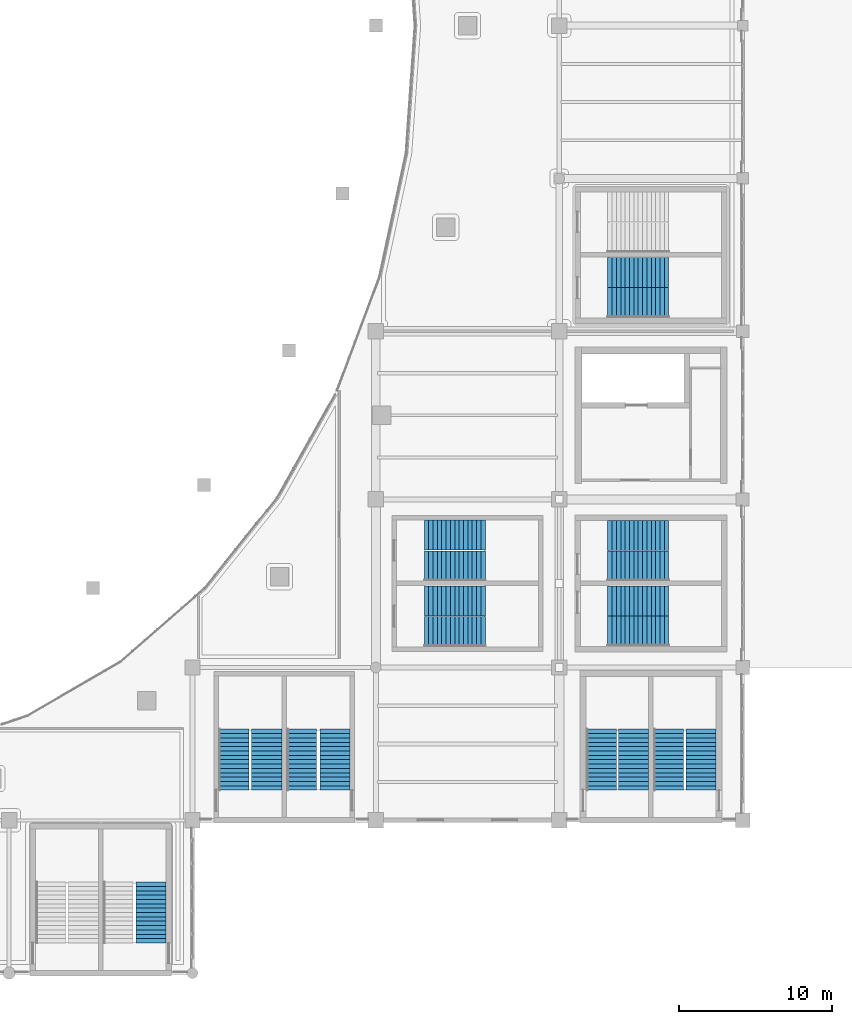
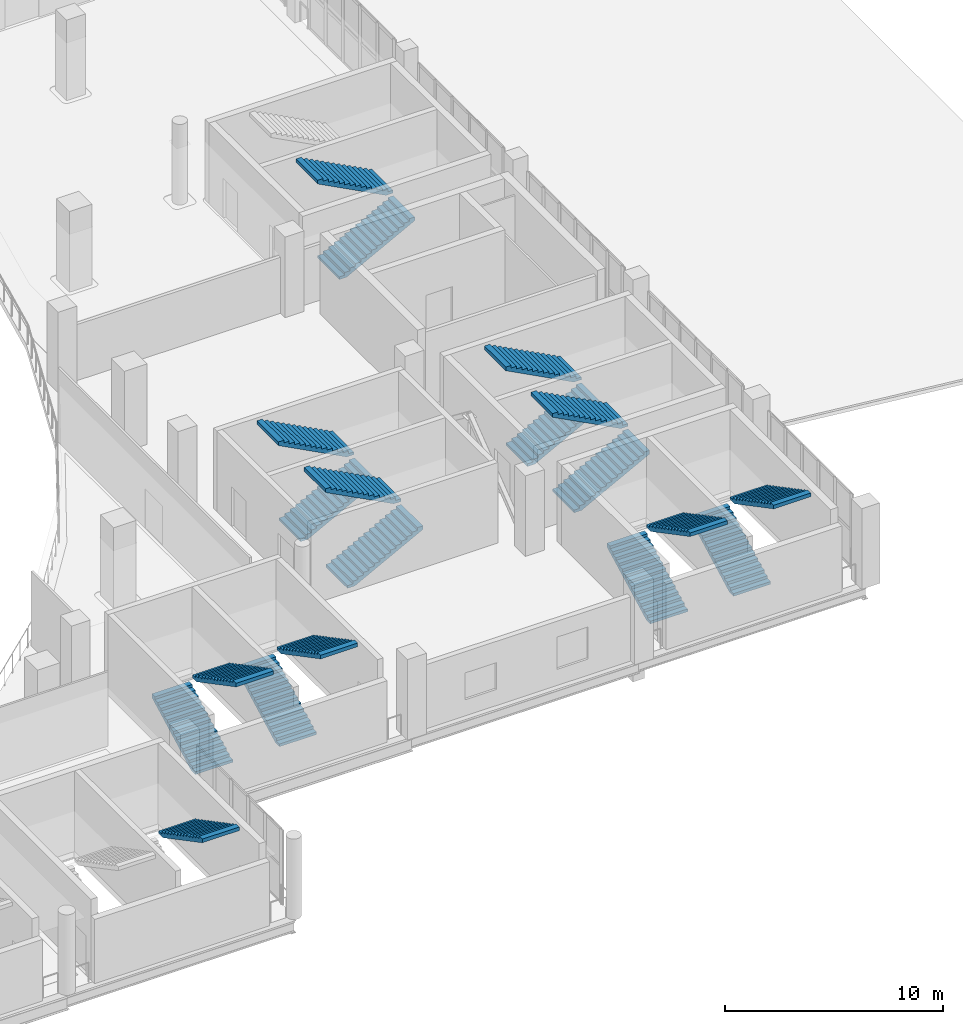
# One storey, part 89 of 108: 19 stair flights, 10 elements without a shape of their own.
"""IFC4 building model written with IfcOpenShell, lengths in metres."""

from ifc_helpers import new_model, si_unit, direction, frame, origin, place, context, subcontext, project, spatial, polyline, outline, extrude, material, layer, layer_set, type_object, element, aggregate, save


model = new_model("IFC4")

# Units and contexts
model_context = context("Model", 3, precision=1e-05, world=origin(), true_north=direction((0.0, 1.0)))
body_context = subcontext(model_context, "Body", "Model", "MODEL_VIEW")
ifc_project = project(units=[si_unit("LENGTHUNIT", "METRE"), si_unit("AREAUNIT", "SQUARE_METRE"), si_unit("VOLUMEUNIT", "CUBIC_METRE"), si_unit("PLANEANGLEUNIT", "RADIAN"), si_unit("MASSUNIT", "GRAM", prefix="KILO")], contexts=[model_context])

# Site, building, storey
site_placement = place(None, origin())
site = spatial("IfcSite", under=ifc_project, at=site_placement, CompositionType="ELEMENT")
building_placement = place(site_placement, origin())
building = spatial("IfcBuilding", under=site, at=building_placement, Name="Brinegate Civic Arena", CompositionType="ELEMENT")
storey_placement = place(building_placement, frame((0.0, 0.0, 10.199951171875)))
storey = spatial("IfcBuildingStorey", under=building, at=storey_placement, Name="L02", CompositionType="ELEMENT", Elevation=10.199951171875)

# Stair, stair flight
ifc_material = material(Name="Concrete C40/50", Category="concrete")
stair_type_1 = type_object("IfcStairType", Name="STAIR-EXIT-3700", PredefinedType="HALF_TURN_STAIR", material=ifc_material)
stair_1_placement = place(storey_placement, origin())
stair_1 = element("IfcStair", 1, at=stair_1_placement, inside=storey, type_object=stair_type_1, Name="Protected Exit Stair ST-04B (L02)", PredefinedType="HALF_TURN_STAIR")
ifc_layer_1 = layer(ifc_material, 0.179931640625, Name="Concrete C40/50")
ifc_layer_set_1 = layer_set([ifc_layer_1], Name="Concrete C40/50")
stair_flight_type_1 = type_object("IfcStairFlightType", Name="FLIGHT-EXIT-3700", PredefinedType="STRAIGHT", material=ifc_layer_set_1)
stair_flight_1_placement = place(storey_placement, frame((129.280029296875, 5.9599609375, 2.25), z_axis=(0.0, 0.0, 1.0), x_axis=(0.0, -1.0, 0.0)))
stair_flight_1 = element("IfcStairFlight", 2, at=stair_flight_1_placement, type_object=stair_flight_type_1, Name="ST-04B flight 2", NumberOfRisers=15, NumberOfTreads=14, PredefinedType="STRAIGHT", RiserHeight=0.15, TreadLength=0.285, context=body_context, shape_type="SweptSolid", body=[
    extrude(outline(polyline([(0.0, 0.0), (0.0, 0.14990234375), (0.284912109375, 0.14990234375), (0.284912109375, 0.300048828125), (0.570068359375, 0.300048828125), (0.570068359375, 0.449951171875), (0.85498046875, 0.449951171875), (0.85498046875, 0.60009765625), (1.139892578125, 0.60009765625), (1.139892578125, 0.75), (1.425048828125, 0.75), (1.425048828125, 0.89990234375), (1.7099609375, 0.89990234375), (1.7099609375, 1.050048828125), (1.9951171875, 1.050048828125), (1.9951171875, 1.199951171875), (2.280029296875, 1.199951171875), (2.280029296875, 1.35009765625), (2.56494140625, 1.35009765625), (2.56494140625, 1.5), (2.85009765625, 1.5), (2.85009765625, 1.64990234375), (3.135009765625, 1.64990234375), (3.135009765625, 1.800048828125), (3.419921875, 1.800048828125), (3.419921875, 1.949951171875), (3.705078125, 1.949951171875), (3.705078125, 2.10009765625), (3.989990234375, 2.10009765625), (3.989990234375, 2.25), (3.989990234375, 1.896728515625), (0.38623046875, 0.0), (0.0, 0.0)])), frame((0.0, 0.97998046875, 0.0), z_axis=(0.0, -1.0, 0.0), x_axis=(1.0, 0.0, 0.0)), (0.0, 0.0, 1.0), 1.9599609375),
])
aggregate(stair_1, [stair_flight_1])

# Stair, stair flights
stair_2_placement = place(storey_placement, origin())
stair_2 = element("IfcStair", 3, at=stair_2_placement, inside=storey, type_object=stair_type_1, Name="Protected Exit Stair ST-06B (L02)", PredefinedType="HALF_TURN_STAIR")
stair_flight_2_placement = place(storey_placement, frame((163.139892578125, 11.969970703125, 0.0), z_axis=(0.0, 0.0, 1.0), x_axis=(0.0, 1.0, 0.0)))
stair_flight_2 = element("IfcStairFlight", 4, at=stair_flight_2_placement, type_object=stair_flight_type_1, Name="ST-06B flight 1", NumberOfRisers=15, NumberOfTreads=14, PredefinedType="STRAIGHT", RiserHeight=0.15, TreadLength=0.285, context=body_context, shape_type="SweptSolid", body=[
    extrude(outline(polyline([(0.0, 0.0), (0.0, 0.14990234375), (0.284912109375, 0.14990234375), (0.284912109375, 0.300048828125), (0.570068359375, 0.300048828125), (0.570068359375, 0.449951171875), (0.85498046875, 0.449951171875), (0.85498046875, 0.60009765625), (1.139892578125, 0.60009765625), (1.139892578125, 0.75), (1.425048828125, 0.75), (1.425048828125, 0.89990234375), (1.7099609375, 0.89990234375), (1.7099609375, 1.050048828125), (1.9951171875, 1.050048828125), (1.9951171875, 1.199951171875), (2.280029296875, 1.199951171875), (2.280029296875, 1.35009765625), (2.56494140625, 1.35009765625), (2.56494140625, 1.5), (2.85009765625, 1.5), (2.85009765625, 1.64990234375), (3.135009765625, 1.64990234375), (3.135009765625, 1.800048828125), (3.419921875, 1.800048828125), (3.419921875, 1.949951171875), (3.705078125, 1.949951171875), (3.705078125, 2.10009765625), (3.989990234375, 2.10009765625), (3.989990234375, 2.25), (3.989990234375, 1.896728515625), (0.38623046875, 0.0), (0.0, 0.0)])), frame((0.0, 0.97998046875, 0.0), z_axis=(0.0, -1.0, 0.0), x_axis=(1.0, 0.0, 0.0)), (0.0, 0.0, 1.0), 1.9599609375),
])
stair_flight_3_placement = place(storey_placement, frame((165.260009765625, 15.9599609375, 2.25), z_axis=(0.0, 0.0, 1.0), x_axis=(0.0, -1.0, 0.0)))
stair_flight_3 = element("IfcStairFlight", 5, at=stair_flight_3_placement, type_object=stair_flight_type_1, Name="ST-06B flight 2", NumberOfRisers=15, NumberOfTreads=14, PredefinedType="STRAIGHT", RiserHeight=0.15, TreadLength=0.285, context=body_context, shape_type="SweptSolid", body=[
    extrude(outline(polyline([(0.0, 0.0), (0.0, 0.14990234375), (0.284912109375, 0.14990234375), (0.284912109375, 0.300048828125), (0.570068359375, 0.300048828125), (0.570068359375, 0.449951171875), (0.85498046875, 0.449951171875), (0.85498046875, 0.60009765625), (1.139892578125, 0.60009765625), (1.139892578125, 0.75), (1.425048828125, 0.75), (1.425048828125, 0.89990234375), (1.7099609375, 0.89990234375), (1.7099609375, 1.050048828125), (1.9951171875, 1.050048828125), (1.9951171875, 1.199951171875), (2.280029296875, 1.199951171875), (2.280029296875, 1.35009765625), (2.56494140625, 1.35009765625), (2.56494140625, 1.5), (2.85009765625, 1.5), (2.85009765625, 1.64990234375), (3.135009765625, 1.64990234375), (3.135009765625, 1.800048828125), (3.419921875, 1.800048828125), (3.419921875, 1.949951171875), (3.705078125, 1.949951171875), (3.705078125, 2.10009765625), (3.989990234375, 2.10009765625), (3.989990234375, 2.25), (3.989990234375, 1.896728515625), (0.38623046875, 0.0), (0.0, 0.0)])), frame((0.0, 0.97998046875, 0.0), z_axis=(0.0, -1.0, 0.0), x_axis=(1.0, 0.0, 0.0)), (0.0, 0.0, 1.0), 1.9599609375),
])
aggregate(stair_2, [stair_flight_2, stair_flight_3])

stair_3_placement = place(storey_placement, origin())
stair_3 = element("IfcStair", 6, at=stair_3_placement, inside=storey, type_object=stair_type_1, Name="Protected Exit Stair ST-14B (L02)", PredefinedType="HALF_TURN_STAIR")
stair_flight_4_placement = place(storey_placement, frame((139.139892578125, 11.969970703125, 0.0), z_axis=(0.0, 0.0, 1.0), x_axis=(0.0, 1.0, 0.0)))
stair_flight_4 = element("IfcStairFlight", 7, at=stair_flight_4_placement, type_object=stair_flight_type_1, Name="ST-14B flight 1", NumberOfRisers=15, NumberOfTreads=14, PredefinedType="STRAIGHT", RiserHeight=0.15, TreadLength=0.285, context=body_context, shape_type="SweptSolid", body=[
    extrude(outline(polyline([(0.0, 0.0), (0.0, 0.14990234375), (0.284912109375, 0.14990234375), (0.284912109375, 0.300048828125), (0.570068359375, 0.300048828125), (0.570068359375, 0.449951171875), (0.85498046875, 0.449951171875), (0.85498046875, 0.60009765625), (1.139892578125, 0.60009765625), (1.139892578125, 0.75), (1.425048828125, 0.75), (1.425048828125, 0.89990234375), (1.7099609375, 0.89990234375), (1.7099609375, 1.050048828125), (1.9951171875, 1.050048828125), (1.9951171875, 1.199951171875), (2.280029296875, 1.199951171875), (2.280029296875, 1.35009765625), (2.56494140625, 1.35009765625), (2.56494140625, 1.5), (2.85009765625, 1.5), (2.85009765625, 1.64990234375), (3.135009765625, 1.64990234375), (3.135009765625, 1.800048828125), (3.419921875, 1.800048828125), (3.419921875, 1.949951171875), (3.705078125, 1.949951171875), (3.705078125, 2.10009765625), (3.989990234375, 2.10009765625), (3.989990234375, 2.25), (3.989990234375, 1.896728515625), (0.38623046875, 0.0), (0.0, 0.0)])), frame((0.0, 0.97998046875, 0.0), z_axis=(0.0, -1.0, 0.0), x_axis=(1.0, 0.0, 0.0)), (0.0, 0.0, 1.0), 1.9599609375),
])
stair_flight_5_placement = place(storey_placement, frame((141.31005859375, 15.9599609375, 2.25), z_axis=(0.0, 0.0, 1.0), x_axis=(0.0, -1.0, 0.0)))
stair_flight_5 = element("IfcStairFlight", 8, at=stair_flight_5_placement, type_object=stair_flight_type_1, Name="ST-14B flight 2", NumberOfRisers=15, NumberOfTreads=14, PredefinedType="STRAIGHT", RiserHeight=0.15, TreadLength=0.285, context=body_context, shape_type="SweptSolid", body=[
    extrude(outline(polyline([(0.0, 0.0), (0.0, 0.14990234375), (0.284912109375, 0.14990234375), (0.284912109375, 0.300048828125), (0.570068359375, 0.300048828125), (0.570068359375, 0.449951171875), (0.85498046875, 0.449951171875), (0.85498046875, 0.60009765625), (1.139892578125, 0.60009765625), (1.139892578125, 0.75), (1.425048828125, 0.75), (1.425048828125, 0.89990234375), (1.7099609375, 0.89990234375), (1.7099609375, 1.050048828125), (1.9951171875, 1.050048828125), (1.9951171875, 1.199951171875), (2.280029296875, 1.199951171875), (2.280029296875, 1.35009765625), (2.56494140625, 1.35009765625), (2.56494140625, 1.5), (2.85009765625, 1.5), (2.85009765625, 1.64990234375), (3.135009765625, 1.64990234375), (3.135009765625, 1.800048828125), (3.419921875, 1.800048828125), (3.419921875, 1.949951171875), (3.705078125, 1.949951171875), (3.705078125, 2.10009765625), (3.989990234375, 2.10009765625), (3.989990234375, 2.25), (3.989990234375, 1.896728515625), (0.38623046875, 0.0), (0.0, 0.0)])), frame((0.0, 0.97998046875, 0.0), z_axis=(0.0, -1.0, 0.0), x_axis=(1.0, 0.0, 0.0)), (0.0, 0.0, 1.0), 1.9599609375),
])
aggregate(stair_3, [stair_flight_4, stair_flight_5])

stair_4_placement = place(storey_placement, origin())
stair_4 = element("IfcStair", 9, at=stair_4_placement, inside=storey, type_object=stair_type_1, Name="Protected Exit Stair ST-17B (L02)", PredefinedType="HALF_TURN_STAIR")
stair_flight_6_placement = place(storey_placement, frame((147.169921875, 26.639892578125, 0.0), z_axis=(0.0, 0.0, 1.0), x_axis=(1.0, 0.0, 0.0)))
stair_flight_6 = element("IfcStairFlight", 10, at=stair_flight_6_placement, type_object=stair_flight_type_1, Name="ST-17B flight 1", NumberOfRisers=15, NumberOfTreads=14, PredefinedType="STRAIGHT", RiserHeight=0.15, TreadLength=0.285, context=body_context, shape_type="SweptSolid", body=[
    extrude(outline(polyline([(0.0, 0.0), (0.0, 0.14990234375), (0.284912109375, 0.14990234375), (0.284912109375, 0.300048828125), (0.570068359375, 0.300048828125), (0.570068359375, 0.449951171875), (0.85498046875, 0.449951171875), (0.85498046875, 0.60009765625), (1.139892578125, 0.60009765625), (1.139892578125, 0.75), (1.425048828125, 0.75), (1.425048828125, 0.89990234375), (1.7099609375, 0.89990234375), (1.7099609375, 1.050048828125), (1.9951171875, 1.050048828125), (1.9951171875, 1.199951171875), (2.280029296875, 1.199951171875), (2.280029296875, 1.35009765625), (2.56494140625, 1.35009765625), (2.56494140625, 1.5), (2.85009765625, 1.5), (2.85009765625, 1.64990234375), (3.135009765625, 1.64990234375), (3.135009765625, 1.800048828125), (3.419921875, 1.800048828125), (3.419921875, 1.949951171875), (3.705078125, 1.949951171875), (3.705078125, 2.10009765625), (3.989990234375, 2.10009765625), (3.989990234375, 2.25), (3.989990234375, 1.896728515625), (0.38623046875, 0.0), (0.0, 0.0)])), frame((0.0, 0.97998046875, 0.0), z_axis=(0.0, -1.0, 0.0), x_axis=(1.0, 0.0, 0.0)), (0.0, 0.0, 1.0), 1.9599609375),
])
stair_flight_7_placement = place(storey_placement, frame((151.159912109375, 28.659912109375, 2.25), z_axis=(0.0, 0.0, 1.0), x_axis=(-1.0, 0.0, 0.0)))
stair_flight_7 = element("IfcStairFlight", 11, at=stair_flight_7_placement, type_object=stair_flight_type_1, Name="ST-17B flight 2", NumberOfRisers=15, NumberOfTreads=14, PredefinedType="STRAIGHT", RiserHeight=0.15, TreadLength=0.285, context=body_context, shape_type="SweptSolid", body=[
    extrude(outline(polyline([(0.0, 0.0), (0.0, 0.14990234375), (0.284912109375, 0.14990234375), (0.284912109375, 0.300048828125), (0.570068359375, 0.300048828125), (0.570068359375, 0.449951171875), (0.85498046875, 0.449951171875), (0.85498046875, 0.60009765625), (1.139892578125, 0.60009765625), (1.139892578125, 0.75), (1.425048828125, 0.75), (1.425048828125, 0.89990234375), (1.7099609375, 0.89990234375), (1.7099609375, 1.050048828125), (1.9951171875, 1.050048828125), (1.9951171875, 1.199951171875), (2.280029296875, 1.199951171875), (2.280029296875, 1.35009765625), (2.56494140625, 1.35009765625), (2.56494140625, 1.5), (2.85009765625, 1.5), (2.85009765625, 1.64990234375), (3.135009765625, 1.64990234375), (3.135009765625, 1.800048828125), (3.419921875, 1.800048828125), (3.419921875, 1.949951171875), (3.705078125, 1.949951171875), (3.705078125, 2.10009765625), (3.989990234375, 2.10009765625), (3.989990234375, 2.25), (3.989990234375, 1.896728515625), (0.38623046875, 0.0), (0.0, 0.0)])), frame((0.0, 0.97998046875, 0.0), z_axis=(0.0, -1.0, 0.0), x_axis=(1.0, 0.0, 0.0)), (0.0, 0.0, 1.0), 1.9599609375),
])
aggregate(stair_4, [stair_flight_6, stair_flight_7])

stair_5_placement = place(storey_placement, origin())
stair_5 = element("IfcStair", 12, at=stair_5_placement, inside=storey, type_object=stair_type_1, Name="Protected Exit Stair ST-19B (L02)", PredefinedType="HALF_TURN_STAIR")
stair_flight_8_placement = place(storey_placement, frame((159.169921875, 26.639892578125, 0.0), z_axis=(0.0, 0.0, 1.0), x_axis=(1.0, 0.0, 0.0)))
stair_flight_8 = element("IfcStairFlight", 13, at=stair_flight_8_placement, type_object=stair_flight_type_1, Name="ST-19B flight 1", NumberOfRisers=15, NumberOfTreads=14, PredefinedType="STRAIGHT", RiserHeight=0.15, TreadLength=0.285, context=body_context, shape_type="SweptSolid", body=[
    extrude(outline(polyline([(0.0, 0.0), (0.0, 0.14990234375), (0.284912109375, 0.14990234375), (0.284912109375, 0.300048828125), (0.570068359375, 0.300048828125), (0.570068359375, 0.449951171875), (0.85498046875, 0.449951171875), (0.85498046875, 0.60009765625), (1.139892578125, 0.60009765625), (1.139892578125, 0.75), (1.425048828125, 0.75), (1.425048828125, 0.89990234375), (1.7099609375, 0.89990234375), (1.7099609375, 1.050048828125), (1.9951171875, 1.050048828125), (1.9951171875, 1.199951171875), (2.280029296875, 1.199951171875), (2.280029296875, 1.35009765625), (2.56494140625, 1.35009765625), (2.56494140625, 1.5), (2.85009765625, 1.5), (2.85009765625, 1.64990234375), (3.135009765625, 1.64990234375), (3.135009765625, 1.800048828125), (3.419921875, 1.800048828125), (3.419921875, 1.949951171875), (3.705078125, 1.949951171875), (3.705078125, 2.10009765625), (3.989990234375, 2.10009765625), (3.989990234375, 2.25), (3.989990234375, 1.896728515625), (0.38623046875, 0.0), (0.0, 0.0)])), frame((0.0, 0.97998046875, 0.0), z_axis=(0.0, -1.0, 0.0), x_axis=(1.0, 0.0, 0.0)), (0.0, 0.0, 1.0), 1.9599609375),
])
stair_flight_9_placement = place(storey_placement, frame((163.159912109375, 28.6298828125, 2.25), z_axis=(0.0, 0.0, 1.0), x_axis=(-1.0, 0.0, 0.0)))
stair_flight_9 = element("IfcStairFlight", 14, at=stair_flight_9_placement, type_object=stair_flight_type_1, Name="ST-19B flight 2", NumberOfRisers=15, NumberOfTreads=14, PredefinedType="STRAIGHT", RiserHeight=0.15, TreadLength=0.285, context=body_context, shape_type="SweptSolid", body=[
    extrude(outline(polyline([(0.0, 0.0), (0.0, 0.14990234375), (0.284912109375, 0.14990234375), (0.284912109375, 0.300048828125), (0.570068359375, 0.300048828125), (0.570068359375, 0.449951171875), (0.85498046875, 0.449951171875), (0.85498046875, 0.60009765625), (1.139892578125, 0.60009765625), (1.139892578125, 0.75), (1.425048828125, 0.75), (1.425048828125, 0.89990234375), (1.7099609375, 0.89990234375), (1.7099609375, 1.050048828125), (1.9951171875, 1.050048828125), (1.9951171875, 1.199951171875), (2.280029296875, 1.199951171875), (2.280029296875, 1.35009765625), (2.56494140625, 1.35009765625), (2.56494140625, 1.5), (2.85009765625, 1.5), (2.85009765625, 1.64990234375), (3.135009765625, 1.64990234375), (3.135009765625, 1.800048828125), (3.419921875, 1.800048828125), (3.419921875, 1.949951171875), (3.705078125, 1.949951171875), (3.705078125, 2.10009765625), (3.989990234375, 2.10009765625), (3.989990234375, 2.25), (3.989990234375, 1.896728515625), (0.38623046875, 0.0), (0.0, 0.0)])), frame((0.0, 0.97998046875, 0.0), z_axis=(0.0, -1.0, 0.0), x_axis=(1.0, 0.0, 0.0)), (0.0, 0.0, 1.0), 1.9599609375),
])
aggregate(stair_5, [stair_flight_8, stair_flight_9])

stair_type_2 = type_object("IfcStairType", Name="STAIR-EXIT-3850", PredefinedType="HALF_TURN_STAIR", material=ifc_material)
stair_6_placement = place(storey_placement, origin())
stair_6 = element("IfcStair", 15, at=stair_6_placement, inside=storey, type_object=stair_type_2, Name="Protected Exit Stair ST-06A (L02)", PredefinedType="HALF_TURN_STAIR")
ifc_layer_2 = layer(ifc_material, 0.179931640625, Name="Concrete C40/50")
ifc_layer_set_2 = layer_set([ifc_layer_2], Name="Concrete C40/50")
stair_flight_type_2 = type_object("IfcStairFlightType", Name="FLIGHT-EXIT-3850", PredefinedType="STRAIGHT", material=ifc_layer_set_2)
stair_flight_10_placement = place(storey_placement, frame((158.75, 11.969970703125, 0.0), z_axis=(0.0, 0.0, 1.0), x_axis=(0.0, 1.0, 0.0)))
stair_flight_10 = element("IfcStairFlight", 16, at=stair_flight_10_placement, type_object=stair_flight_type_2, Name="ST-06A flight 1", NumberOfRisers=15, NumberOfTreads=14, PredefinedType="STRAIGHT", RiserHeight=0.15, TreadLength=0.285, context=body_context, shape_type="SweptSolid", body=[
    extrude(outline(polyline([(0.0, 0.0), (0.0, 0.14990234375), (0.284912109375, 0.14990234375), (0.284912109375, 0.300048828125), (0.570068359375, 0.300048828125), (0.570068359375, 0.449951171875), (0.85498046875, 0.449951171875), (0.85498046875, 0.60009765625), (1.139892578125, 0.60009765625), (1.139892578125, 0.75), (1.425048828125, 0.75), (1.425048828125, 0.89990234375), (1.7099609375, 0.89990234375), (1.7099609375, 1.050048828125), (1.9951171875, 1.050048828125), (1.9951171875, 1.199951171875), (2.280029296875, 1.199951171875), (2.280029296875, 1.35009765625), (2.56494140625, 1.35009765625), (2.56494140625, 1.5), (2.85009765625, 1.5), (2.85009765625, 1.64990234375), (3.135009765625, 1.64990234375), (3.135009765625, 1.800048828125), (3.419921875, 1.800048828125), (3.419921875, 1.949951171875), (3.705078125, 1.949951171875), (3.705078125, 2.10009765625), (3.989990234375, 2.10009765625), (3.989990234375, 2.25), (3.989990234375, 1.896728515625), (0.38623046875, 0.0), (0.0, 0.0)])), frame((0.0, 0.989990234375, 0.0), z_axis=(0.0, -1.0, 0.0), x_axis=(1.0, 0.0, 0.0)), (0.0, 0.0, 1.0), 1.97998046875),
])
stair_flight_11_placement = place(storey_placement, frame((160.85009765625, 15.9599609375, 2.25), z_axis=(0.0, 0.0, 1.0), x_axis=(0.0, -1.0, 0.0)))
stair_flight_11 = element("IfcStairFlight", 17, at=stair_flight_11_placement, type_object=stair_flight_type_2, Name="ST-06A flight 2", NumberOfRisers=15, NumberOfTreads=14, PredefinedType="STRAIGHT", RiserHeight=0.15, TreadLength=0.285, context=body_context, shape_type="SweptSolid", body=[
    extrude(outline(polyline([(0.0, 0.0), (0.0, 0.14990234375), (0.284912109375, 0.14990234375), (0.284912109375, 0.300048828125), (0.570068359375, 0.300048828125), (0.570068359375, 0.449951171875), (0.85498046875, 0.449951171875), (0.85498046875, 0.60009765625), (1.139892578125, 0.60009765625), (1.139892578125, 0.75), (1.425048828125, 0.75), (1.425048828125, 0.89990234375), (1.7099609375, 0.89990234375), (1.7099609375, 1.050048828125), (1.9951171875, 1.050048828125), (1.9951171875, 1.199951171875), (2.280029296875, 1.199951171875), (2.280029296875, 1.35009765625), (2.56494140625, 1.35009765625), (2.56494140625, 1.5), (2.85009765625, 1.5), (2.85009765625, 1.64990234375), (3.135009765625, 1.64990234375), (3.135009765625, 1.800048828125), (3.419921875, 1.800048828125), (3.419921875, 1.949951171875), (3.705078125, 1.949951171875), (3.705078125, 2.10009765625), (3.989990234375, 2.10009765625), (3.989990234375, 2.25), (3.989990234375, 1.896728515625), (0.38623046875, 0.0), (0.0, 0.0)])), frame((0.0, 0.989990234375, 0.0), z_axis=(0.0, -1.0, 0.0), x_axis=(1.0, 0.0, 0.0)), (0.0, 0.0, 1.0), 1.97998046875),
])
aggregate(stair_6, [stair_flight_10, stair_flight_11])

stair_7_placement = place(storey_placement, origin())
stair_7 = element("IfcStair", 18, at=stair_7_placement, inside=storey, type_object=stair_type_2, Name="Protected Exit Stair ST-10A (L02)", PredefinedType="HALF_TURN_STAIR")
stair_flight_12_placement = place(storey_placement, frame((159.169921875, 43.8779296875, 0.0), z_axis=(0.0, 0.0, 1.0), x_axis=(1.0, 0.0, 0.0)))
stair_flight_12 = element("IfcStairFlight", 19, at=stair_flight_12_placement, type_object=stair_flight_type_2, Name="ST-10A flight 1", NumberOfRisers=15, NumberOfTreads=14, PredefinedType="STRAIGHT", RiserHeight=0.15, TreadLength=0.285, context=body_context, shape_type="SweptSolid", body=[
    extrude(outline(polyline([(0.0, 0.0), (0.0, 0.14990234375), (0.284912109375, 0.14990234375), (0.284912109375, 0.300048828125), (0.570068359375, 0.300048828125), (0.570068359375, 0.449951171875), (0.85498046875, 0.449951171875), (0.85498046875, 0.60009765625), (1.139892578125, 0.60009765625), (1.139892578125, 0.75), (1.425048828125, 0.75), (1.425048828125, 0.89990234375), (1.7099609375, 0.89990234375), (1.7099609375, 1.050048828125), (1.9951171875, 1.050048828125), (1.9951171875, 1.199951171875), (2.280029296875, 1.199951171875), (2.280029296875, 1.35009765625), (2.56494140625, 1.35009765625), (2.56494140625, 1.5), (2.85009765625, 1.5), (2.85009765625, 1.64990234375), (3.135009765625, 1.64990234375), (3.135009765625, 1.800048828125), (3.419921875, 1.800048828125), (3.419921875, 1.949951171875), (3.705078125, 1.949951171875), (3.705078125, 2.10009765625), (3.989990234375, 2.10009765625), (3.989990234375, 2.25), (3.989990234375, 1.896728515625), (0.38623046875, 0.0), (0.0, 0.0)])), frame((0.0, 0.987548828125, 0.0), z_axis=(0.0, -1.0, 0.0), x_axis=(1.0, 0.0, 0.0)), (0.0, 0.0, 1.0), 1.97509765625),
])
stair_flight_13_placement = place(storey_placement, frame((163.159912109375, 45.85302734375, 2.25), z_axis=(0.0, 0.0, 1.0), x_axis=(-1.0, 0.0, 0.0)))
stair_flight_13 = element("IfcStairFlight", 20, at=stair_flight_13_placement, type_object=stair_flight_type_2, Name="ST-10A flight 2", NumberOfRisers=15, NumberOfTreads=14, PredefinedType="STRAIGHT", RiserHeight=0.15, TreadLength=0.285, context=body_context, shape_type="SweptSolid", body=[
    extrude(outline(polyline([(0.0, 0.0), (0.0, 0.14990234375), (0.284912109375, 0.14990234375), (0.284912109375, 0.300048828125), (0.570068359375, 0.300048828125), (0.570068359375, 0.449951171875), (0.85498046875, 0.449951171875), (0.85498046875, 0.60009765625), (1.139892578125, 0.60009765625), (1.139892578125, 0.75), (1.425048828125, 0.75), (1.425048828125, 0.89990234375), (1.7099609375, 0.89990234375), (1.7099609375, 1.050048828125), (1.9951171875, 1.050048828125), (1.9951171875, 1.199951171875), (2.280029296875, 1.199951171875), (2.280029296875, 1.35009765625), (2.56494140625, 1.35009765625), (2.56494140625, 1.5), (2.85009765625, 1.5), (2.85009765625, 1.64990234375), (3.135009765625, 1.64990234375), (3.135009765625, 1.800048828125), (3.419921875, 1.800048828125), (3.419921875, 1.949951171875), (3.705078125, 1.949951171875), (3.705078125, 2.10009765625), (3.989990234375, 2.10009765625), (3.989990234375, 2.25), (3.989990234375, 1.896728515625), (0.38623046875, 0.0), (0.0, 0.0)])), frame((0.0, 0.987548828125, 0.0), z_axis=(0.0, -1.0, 0.0), x_axis=(1.0, 0.0, 0.0)), (0.0, 0.0, 1.0), 1.97509765625),
])
aggregate(stair_7, [stair_flight_12, stair_flight_13])

stair_8_placement = place(storey_placement, origin())
stair_8 = element("IfcStair", 21, at=stair_8_placement, inside=storey, type_object=stair_type_2, Name="Protected Exit Stair ST-14A (L02)", PredefinedType="HALF_TURN_STAIR")
stair_flight_14_placement = place(storey_placement, frame((134.699951171875, 11.969970703125, 0.0), z_axis=(0.0, 0.0, 1.0), x_axis=(0.0, 1.0, 0.0)))
stair_flight_14 = element("IfcStairFlight", 22, at=stair_flight_14_placement, type_object=stair_flight_type_2, Name="ST-14A flight 1", NumberOfRisers=15, NumberOfTreads=14, PredefinedType="STRAIGHT", RiserHeight=0.15, TreadLength=0.285, context=body_context, shape_type="SweptSolid", body=[
    extrude(outline(polyline([(0.0, 0.0), (0.0, 0.14990234375), (0.284912109375, 0.14990234375), (0.284912109375, 0.300048828125), (0.570068359375, 0.300048828125), (0.570068359375, 0.449951171875), (0.85498046875, 0.449951171875), (0.85498046875, 0.60009765625), (1.139892578125, 0.60009765625), (1.139892578125, 0.75), (1.425048828125, 0.75), (1.425048828125, 0.89990234375), (1.7099609375, 0.89990234375), (1.7099609375, 1.050048828125), (1.9951171875, 1.050048828125), (1.9951171875, 1.199951171875), (2.280029296875, 1.199951171875), (2.280029296875, 1.35009765625), (2.56494140625, 1.35009765625), (2.56494140625, 1.5), (2.85009765625, 1.5), (2.85009765625, 1.64990234375), (3.135009765625, 1.64990234375), (3.135009765625, 1.800048828125), (3.419921875, 1.800048828125), (3.419921875, 1.949951171875), (3.705078125, 1.949951171875), (3.705078125, 2.10009765625), (3.989990234375, 2.10009765625), (3.989990234375, 2.25), (3.989990234375, 1.896728515625), (0.38623046875, 0.0), (0.0, 0.0)])), frame((0.0, 0.989990234375, 0.0), z_axis=(0.0, -1.0, 0.0), x_axis=(1.0, 0.0, 0.0)), (0.0, 0.0, 1.0), 1.97998046875),
])
stair_flight_15_placement = place(storey_placement, frame((136.85009765625, 15.9599609375, 2.25), z_axis=(0.0, 0.0, 1.0), x_axis=(0.0, -1.0, 0.0)))
stair_flight_15 = element("IfcStairFlight", 23, at=stair_flight_15_placement, type_object=stair_flight_type_2, Name="ST-14A flight 2", NumberOfRisers=15, NumberOfTreads=14, PredefinedType="STRAIGHT", RiserHeight=0.15, TreadLength=0.285, context=body_context, shape_type="SweptSolid", body=[
    extrude(outline(polyline([(0.0, 0.0), (0.0, 0.14990234375), (0.284912109375, 0.14990234375), (0.284912109375, 0.300048828125), (0.570068359375, 0.300048828125), (0.570068359375, 0.449951171875), (0.85498046875, 0.449951171875), (0.85498046875, 0.60009765625), (1.139892578125, 0.60009765625), (1.139892578125, 0.75), (1.425048828125, 0.75), (1.425048828125, 0.89990234375), (1.7099609375, 0.89990234375), (1.7099609375, 1.050048828125), (1.9951171875, 1.050048828125), (1.9951171875, 1.199951171875), (2.280029296875, 1.199951171875), (2.280029296875, 1.35009765625), (2.56494140625, 1.35009765625), (2.56494140625, 1.5), (2.85009765625, 1.5), (2.85009765625, 1.64990234375), (3.135009765625, 1.64990234375), (3.135009765625, 1.800048828125), (3.419921875, 1.800048828125), (3.419921875, 1.949951171875), (3.705078125, 1.949951171875), (3.705078125, 2.10009765625), (3.989990234375, 2.10009765625), (3.989990234375, 2.25), (3.989990234375, 1.896728515625), (0.38623046875, 0.0), (0.0, 0.0)])), frame((0.0, 0.989990234375, 0.0), z_axis=(0.0, -1.0, 0.0), x_axis=(1.0, 0.0, 0.0)), (0.0, 0.0, 1.0), 1.97998046875),
])
aggregate(stair_8, [stair_flight_14, stair_flight_15])

stair_9_placement = place(storey_placement, origin())
stair_9 = element("IfcStair", 24, at=stair_9_placement, inside=storey, type_object=stair_type_2, Name="Protected Exit Stair ST-17A (L02)", PredefinedType="HALF_TURN_STAIR")
stair_flight_16_placement = place(storey_placement, frame((147.169921875, 22.35009765625, 0.0), z_axis=(0.0, 0.0, 1.0), x_axis=(1.0, 0.0, 0.0)))
stair_flight_16 = element("IfcStairFlight", 25, at=stair_flight_16_placement, type_object=stair_flight_type_2, Name="ST-17A flight 1", NumberOfRisers=15, NumberOfTreads=14, PredefinedType="STRAIGHT", RiserHeight=0.15, TreadLength=0.285, context=body_context, shape_type="SweptSolid", body=[
    extrude(outline(polyline([(0.0, 0.0), (0.0, 0.14990234375), (0.284912109375, 0.14990234375), (0.284912109375, 0.300048828125), (0.570068359375, 0.300048828125), (0.570068359375, 0.449951171875), (0.85498046875, 0.449951171875), (0.85498046875, 0.60009765625), (1.139892578125, 0.60009765625), (1.139892578125, 0.75), (1.425048828125, 0.75), (1.425048828125, 0.89990234375), (1.7099609375, 0.89990234375), (1.7099609375, 1.050048828125), (1.9951171875, 1.050048828125), (1.9951171875, 1.199951171875), (2.280029296875, 1.199951171875), (2.280029296875, 1.35009765625), (2.56494140625, 1.35009765625), (2.56494140625, 1.5), (2.85009765625, 1.5), (2.85009765625, 1.64990234375), (3.135009765625, 1.64990234375), (3.135009765625, 1.800048828125), (3.419921875, 1.800048828125), (3.419921875, 1.949951171875), (3.705078125, 1.949951171875), (3.705078125, 2.10009765625), (3.989990234375, 2.10009765625), (3.989990234375, 2.25), (3.989990234375, 1.896728515625), (0.38623046875, 0.0), (0.0, 0.0)])), frame((0.0, 0.989990234375, 0.0), z_axis=(0.0, -1.0, 0.0), x_axis=(1.0, 0.0, 0.0)), (0.0, 0.0, 1.0), 1.97998046875),
])
stair_flight_17_placement = place(storey_placement, frame((151.159912109375, 24.35009765625, 2.25), z_axis=(0.0, 0.0, 1.0), x_axis=(-1.0, 0.0, 0.0)))
stair_flight_17 = element("IfcStairFlight", 26, at=stair_flight_17_placement, type_object=stair_flight_type_2, Name="ST-17A flight 2", NumberOfRisers=15, NumberOfTreads=14, PredefinedType="STRAIGHT", RiserHeight=0.15, TreadLength=0.285, context=body_context, shape_type="SweptSolid", body=[
    extrude(outline(polyline([(0.0, 0.0), (0.0, 0.14990234375), (0.284912109375, 0.14990234375), (0.284912109375, 0.300048828125), (0.570068359375, 0.300048828125), (0.570068359375, 0.449951171875), (0.85498046875, 0.449951171875), (0.85498046875, 0.60009765625), (1.139892578125, 0.60009765625), (1.139892578125, 0.75), (1.425048828125, 0.75), (1.425048828125, 0.89990234375), (1.7099609375, 0.89990234375), (1.7099609375, 1.050048828125), (1.9951171875, 1.050048828125), (1.9951171875, 1.199951171875), (2.280029296875, 1.199951171875), (2.280029296875, 1.35009765625), (2.56494140625, 1.35009765625), (2.56494140625, 1.5), (2.85009765625, 1.5), (2.85009765625, 1.64990234375), (3.135009765625, 1.64990234375), (3.135009765625, 1.800048828125), (3.419921875, 1.800048828125), (3.419921875, 1.949951171875), (3.705078125, 1.949951171875), (3.705078125, 2.10009765625), (3.989990234375, 2.10009765625), (3.989990234375, 2.25), (3.989990234375, 1.896728515625), (0.38623046875, 0.0), (0.0, 0.0)])), frame((0.0, 0.989990234375, 0.0), z_axis=(0.0, -1.0, 0.0), x_axis=(1.0, 0.0, 0.0)), (0.0, 0.0, 1.0), 1.97998046875),
])
aggregate(stair_9, [stair_flight_16, stair_flight_17])

stair_10_placement = place(storey_placement, origin())
stair_10 = element("IfcStair", 27, at=stair_10_placement, inside=storey, type_object=stair_type_2, Name="Protected Exit Stair ST-19A (L02)", PredefinedType="HALF_TURN_STAIR")
stair_flight_18_placement = place(storey_placement, frame((159.169921875, 22.3779296875, 0.0), z_axis=(0.0, 0.0, 1.0), x_axis=(1.0, 0.0, 0.0)))
stair_flight_18 = element("IfcStairFlight", 28, at=stair_flight_18_placement, type_object=stair_flight_type_2, Name="ST-19A flight 1", NumberOfRisers=15, NumberOfTreads=14, PredefinedType="STRAIGHT", RiserHeight=0.15, TreadLength=0.285, context=body_context, shape_type="SweptSolid", body=[
    extrude(outline(polyline([(0.0, 0.0), (0.0, 0.14990234375), (0.284912109375, 0.14990234375), (0.284912109375, 0.300048828125), (0.570068359375, 0.300048828125), (0.570068359375, 0.449951171875), (0.85498046875, 0.449951171875), (0.85498046875, 0.60009765625), (1.139892578125, 0.60009765625), (1.139892578125, 0.75), (1.425048828125, 0.75), (1.425048828125, 0.89990234375), (1.7099609375, 0.89990234375), (1.7099609375, 1.050048828125), (1.9951171875, 1.050048828125), (1.9951171875, 1.199951171875), (2.280029296875, 1.199951171875), (2.280029296875, 1.35009765625), (2.56494140625, 1.35009765625), (2.56494140625, 1.5), (2.85009765625, 1.5), (2.85009765625, 1.64990234375), (3.135009765625, 1.64990234375), (3.135009765625, 1.800048828125), (3.419921875, 1.800048828125), (3.419921875, 1.949951171875), (3.705078125, 1.949951171875), (3.705078125, 2.10009765625), (3.989990234375, 2.10009765625), (3.989990234375, 2.25), (3.989990234375, 1.896728515625), (0.38623046875, 0.0), (0.0, 0.0)])), frame((0.0, 0.987548828125, 0.0), z_axis=(0.0, -1.0, 0.0), x_axis=(1.0, 0.0, 0.0)), (0.0, 0.0, 1.0), 1.97509765625),
])
stair_flight_19_placement = place(storey_placement, frame((163.159912109375, 24.35302734375, 2.25), z_axis=(0.0, 0.0, 1.0), x_axis=(-1.0, 0.0, 0.0)))
stair_flight_19 = element("IfcStairFlight", 29, at=stair_flight_19_placement, type_object=stair_flight_type_2, Name="ST-19A flight 2", NumberOfRisers=15, NumberOfTreads=14, PredefinedType="STRAIGHT", RiserHeight=0.15, TreadLength=0.285, context=body_context, shape_type="SweptSolid", body=[
    extrude(outline(polyline([(0.0, 0.0), (0.0, 0.14990234375), (0.284912109375, 0.14990234375), (0.284912109375, 0.300048828125), (0.570068359375, 0.300048828125), (0.570068359375, 0.449951171875), (0.85498046875, 0.449951171875), (0.85498046875, 0.60009765625), (1.139892578125, 0.60009765625), (1.139892578125, 0.75), (1.425048828125, 0.75), (1.425048828125, 0.89990234375), (1.7099609375, 0.89990234375), (1.7099609375, 1.050048828125), (1.9951171875, 1.050048828125), (1.9951171875, 1.199951171875), (2.280029296875, 1.199951171875), (2.280029296875, 1.35009765625), (2.56494140625, 1.35009765625), (2.56494140625, 1.5), (2.85009765625, 1.5), (2.85009765625, 1.64990234375), (3.135009765625, 1.64990234375), (3.135009765625, 1.800048828125), (3.419921875, 1.800048828125), (3.419921875, 1.949951171875), (3.705078125, 1.949951171875), (3.705078125, 2.10009765625), (3.989990234375, 2.10009765625), (3.989990234375, 2.25), (3.989990234375, 1.896728515625), (0.38623046875, 0.0), (0.0, 0.0)])), frame((0.0, 0.987548828125, 0.0), z_axis=(0.0, -1.0, 0.0), x_axis=(1.0, 0.0, 0.0)), (0.0, 0.0, 1.0), 1.97509765625),
])
aggregate(stair_10, [stair_flight_18, stair_flight_19])

save(model, "model.ifc")
